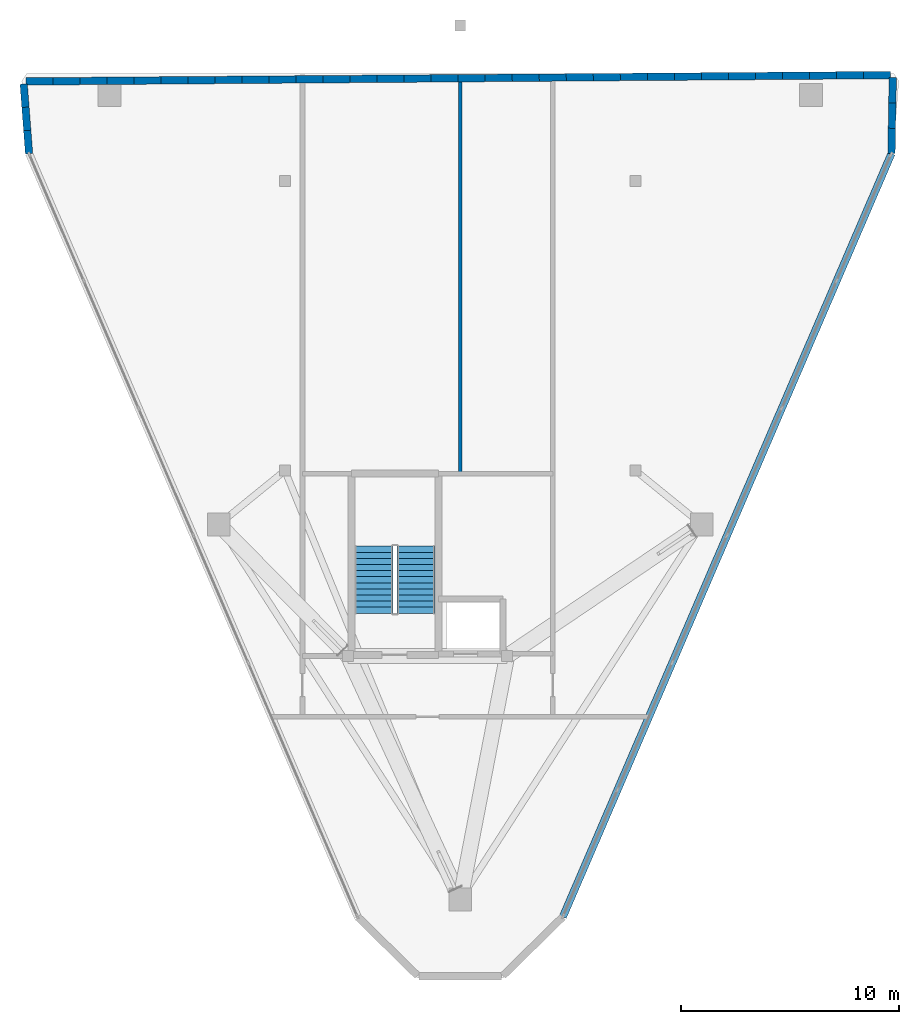
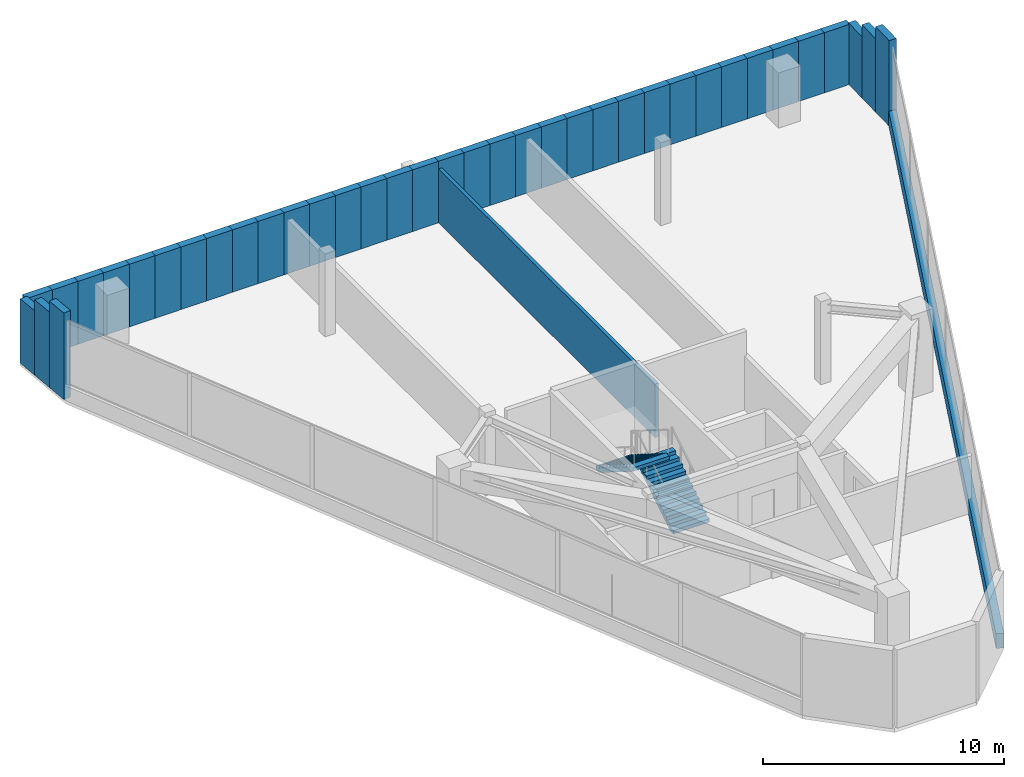
# One storey, part 6 of 7: 40 walls, 2 stair flights, 1 element without a shape of its own.
"""IFC4 building model written with IfcOpenShell, lengths in metres."""

from ifc_helpers import new_model, si_unit, direction, frame, frame_2d, origin, place, context, subcontext, project, spatial, polyline, rectangle, outline, extrude, material, layer, layer_set, type_object, element, aggregate, save


model = new_model("IFC4")

# Units and contexts
model_context = context("Model", 3, precision=1e-05, world=origin(), true_north=direction((0.0, 1.0)))
body_context = subcontext(model_context, "Body", "Model", "MODEL_VIEW")
ifc_project = project(units=[si_unit("LENGTHUNIT", "METRE"), si_unit("AREAUNIT", "SQUARE_METRE"), si_unit("VOLUMEUNIT", "CUBIC_METRE"), si_unit("PLANEANGLEUNIT", "RADIAN"), si_unit("MASSUNIT", "GRAM", prefix="KILO")], contexts=[model_context])

# Site, building, storey
site_placement = place(None, origin())
site = spatial("IfcSite", under=ifc_project, at=site_placement, CompositionType="ELEMENT")
building_placement = place(site_placement, origin())
building = spatial("IfcBuilding", under=site, at=building_placement, Name="Talyreon Biosciences Tower", CompositionType="ELEMENT")
storey_placement = place(building_placement, frame((0.0, 0.0, 321.39990234375)))
storey = spatial("IfcBuildingStorey", under=building, at=storey_placement, Name="L85", CompositionType="ELEMENT", Elevation=321.39990234375)

# Walls
ifc_material_1 = material(Name="Gypsum acoustic stud partition", Category="gypsum")
ifc_layer_1 = layer(ifc_material_1, 0.159912109375)
ifc_layer_set_1 = layer_set([ifc_layer_1], Name="Gypsum acoustic stud partition")
wall_type_1 = type_object("IfcWallType", Name="LabSeparationPartition_160", PredefinedType="PARTITIONING", material=ifc_layer_set_1)
wall_1_placement = place(storey_placement, frame((66.0, 61.2099609375, 0.0), z_axis=(0.0, 0.0, 1.0), x_axis=(0.0, 1.0, 0.0)))
element("IfcWall", 1, at=wall_1_placement, inside=storey, type_object=wall_type_1, Name="L85 Interior Wall IW-L85-CDIV-N", PredefinedType="PARTITIONING", context=body_context, shape_type="SweptSolid", body=[
    extrude(rectangle(XDim=18.29736328125, YDim=0.159912109375, at=frame_2d((9.148681640625, 0.0))), origin(), (0.0, 0.0, 1.0), 2.73486328125),
])
ifc_material_2 = material(Name="Precast concrete C45/55", Category="concrete")
ifc_layer_2 = layer(ifc_material_2, 0.340087890625)
ifc_layer_set_2 = layer_set([ifc_layer_2], Name="Precast concrete C45/55")
wall_type_2 = type_object("IfcWallType", Name="PrecastConcreteSpandrelWall_340", PredefinedType="STANDARD", material=ifc_layer_set_2)
wall_2_placement = place(storey_placement, frame((46.20263671875, 75.90185546875, 0.0), z_axis=(0.0, 0.0, 1.0), x_axis=(-0.07699350306, 0.997031594528, 0.0)))
element("IfcWall", 2, at=wall_2_placement, inside=storey, type_object=wall_type_2, Name="L85 Slanted Crown Spandrel 00.01", PredefinedType="STANDARD", context=body_context, shape_type="SweptSolid", body=[
    extrude(rectangle(XDim=1.068603515625, YDim=0.340087890625, at=frame_2d((0.5341796875, 0.0))), origin(), (0.0, 0.0, 1.0), 4.390380859375),
])
wall_3_placement = place(storey_placement, frame((46.120361328125, 76.96728515625, 0.0), z_axis=(0.0, 0.0, 1.0), x_axis=(-0.076748900864, 0.997050453195, 0.0)))
element("IfcWall", 3, at=wall_3_placement, inside=storey, type_object=wall_type_2, Name="L85 Slanted Crown Spandrel 00.02", PredefinedType="STANDARD", context=body_context, shape_type="SweptSolid", body=[
    extrude(rectangle(XDim=1.06884765625, YDim=0.340087890625, at=frame_2d((0.534423828125, 0.0))), origin(), (0.0, 0.0, 1.0), 3.830078125),
])
wall_4_placement = place(storey_placement, frame((46.038330078125, 78.032958984375, 0.0), z_axis=(0.0, 0.0, 1.0), x_axis=(-0.07699350306, 0.997031594528, 0.0)))
element("IfcWall", 4, at=wall_4_placement, inside=storey, type_object=wall_type_2, Name="L85 Slanted Crown Spandrel 00.03", PredefinedType="STANDARD", context=body_context, shape_type="SweptSolid", body=[
    extrude(rectangle(XDim=1.068603515625, YDim=0.340087890625, at=frame_2d((0.5341796875, 0.0))), origin(), (0.0, 0.0, 1.0), 3.269775390625),
])
wall_5_placement = place(storey_placement, frame((46.066162109375, 79.218017578125, 0.0), z_axis=(0.0, 0.0, 1.0), x_axis=(0.999972012601, 0.007481578358, 0.0)))
element("IfcWall", 5, at=wall_5_placement, inside=storey, type_object=wall_type_2, Name="L85 Slanted Crown Spandrel 01.01", PredefinedType="STANDARD", context=body_context, shape_type="SweptSolid", body=[
    extrude(rectangle(XDim=1.239990234375, YDim=0.340087890625, at=frame_2d((0.6201171875, 0.0))), origin(), (0.0, 0.0, 1.0), 3.201904296875),
])
wall_6_placement = place(storey_placement, frame((47.30615234375, 79.227294921875, 0.0), z_axis=(0.0, 0.0, 1.0), x_axis=(0.999973466182, 0.007284705306, 0.0)))
element("IfcWall", 6, at=wall_6_placement, inside=storey, type_object=wall_type_2, Name="L85 Slanted Crown Spandrel 01.02", PredefinedType="STANDARD", context=body_context, shape_type="SweptSolid", body=[
    extrude(rectangle(XDim=1.239990234375, YDim=0.340087890625, at=frame_2d((0.6201171875, 0.0))), origin(), (0.0, 0.0, 1.0), 3.197265625),
])
wall_7_placement = place(storey_placement, frame((48.546142578125, 79.236328125, 0.0), z_axis=(0.0, 0.0, 1.0), x_axis=(0.999972001577, 0.007483051607, 0.0)))
element("IfcWall", 7, at=wall_7_placement, inside=storey, type_object=wall_type_2, Name="L85 Slanted Crown Spandrel 01.03", PredefinedType="STANDARD", context=body_context, shape_type="SweptSolid", body=[
    extrude(rectangle(XDim=1.23974609375, YDim=0.340087890625, at=frame_2d((0.619873046875, 0.0))), origin(), (0.0, 0.0, 1.0), 3.1923828125),
])
wall_8_placement = place(storey_placement, frame((49.785888671875, 79.24560546875, 0.0), z_axis=(0.0, 0.0, 1.0), x_axis=(0.999972012601, 0.007481578358, 0.0)))
element("IfcWall", 8, at=wall_8_placement, inside=storey, type_object=wall_type_2, Name="L85 Slanted Crown Spandrel 01.04", PredefinedType="STANDARD", context=body_context, shape_type="SweptSolid", body=[
    extrude(rectangle(XDim=1.239990234375, YDim=0.340087890625, at=frame_2d((0.6201171875, 0.0))), origin(), (0.0, 0.0, 1.0), 3.1875),
])
wall_9_placement = place(storey_placement, frame((51.02587890625, 79.2548828125, 0.0), z_axis=(0.0, 0.0, 1.0), x_axis=(0.999973476627, 0.007283271385, 0.0)))
element("IfcWall", 9, at=wall_9_placement, inside=storey, type_object=wall_type_2, Name="L85 Slanted Crown Spandrel 01.05", PredefinedType="STANDARD", context=body_context, shape_type="SweptSolid", body=[
    extrude(rectangle(XDim=1.240234375, YDim=0.340087890625, at=frame_2d((0.6201171875, 0.0))), origin(), (0.0, 0.0, 1.0), 3.182861328125),
])
wall_10_placement = place(storey_placement, frame((52.26611328125, 79.263916015625, 0.0), z_axis=(0.0, 0.0, 1.0), x_axis=(0.999972012601, 0.007481578358, 0.0)))
element("IfcWall", 10, at=wall_10_placement, inside=storey, type_object=wall_type_2, Name="L85 Slanted Crown Spandrel 01.06", PredefinedType="STANDARD", context=body_context, shape_type="SweptSolid", body=[
    extrude(rectangle(XDim=1.239990234375, YDim=0.340087890625, at=frame_2d((0.6201171875, 0.0))), origin(), (0.0, 0.0, 1.0), 3.177978515625),
])
wall_11_placement = place(storey_placement, frame((53.506103515625, 79.273193359375, 0.0), z_axis=(0.0, 0.0, 1.0), x_axis=(0.999973466182, 0.007284705306, 0.0)))
element("IfcWall", 11, at=wall_11_placement, inside=storey, type_object=wall_type_2, Name="L85 Slanted Crown Spandrel 01.07", PredefinedType="STANDARD", context=body_context, shape_type="SweptSolid", body=[
    extrude(rectangle(XDim=1.239990234375, YDim=0.340087890625, at=frame_2d((0.6201171875, 0.0))), origin(), (0.0, 0.0, 1.0), 3.173095703125),
])
wall_12_placement = place(storey_placement, frame((54.74609375, 79.2822265625, 0.0), z_axis=(0.0, 0.0, 1.0), x_axis=(0.999972012601, 0.007481578358, 0.0)))
element("IfcWall", 12, at=wall_12_placement, inside=storey, type_object=wall_type_2, Name="L85 Slanted Crown Spandrel 01.08", PredefinedType="STANDARD", context=body_context, shape_type="SweptSolid", body=[
    extrude(rectangle(XDim=1.239990234375, YDim=0.340087890625, at=frame_2d((0.6201171875, 0.0))), origin(), (0.0, 0.0, 1.0), 3.168212890625),
])
wall_13_placement = place(storey_placement, frame((55.986083984375, 79.29150390625, 0.0), z_axis=(0.0, 0.0, 1.0), x_axis=(0.999973455731, 0.007286139792, 0.0)))
element("IfcWall", 13, at=wall_13_placement, inside=storey, type_object=wall_type_2, Name="L85 Slanted Crown Spandrel 01.09", PredefinedType="STANDARD", context=body_context, shape_type="SweptSolid", body=[
    extrude(rectangle(XDim=1.23974609375, YDim=0.340087890625, at=frame_2d((0.619873046875, 0.0))), origin(), (0.0, 0.0, 1.0), 3.16357421875),
])
wall_14_placement = place(storey_placement, frame((57.225830078125, 79.300537109375, 0.0), z_axis=(0.0, 0.0, 1.0), x_axis=(0.999972012601, 0.007481578358, 0.0)))
element("IfcWall", 14, at=wall_14_placement, inside=storey, type_object=wall_type_2, Name="L85 Slanted Crown Spandrel 01.10", PredefinedType="STANDARD", context=body_context, shape_type="SweptSolid", body=[
    extrude(rectangle(XDim=1.239990234375, YDim=0.340087890625, at=frame_2d((0.6201171875, 0.0))), origin(), (0.0, 0.0, 1.0), 3.15869140625),
])
wall_15_placement = place(storey_placement, frame((58.4658203125, 79.309814453125, 0.0), z_axis=(0.0, 0.0, 1.0), x_axis=(0.999972012601, 0.007481578358, 0.0)))
element("IfcWall", 15, at=wall_15_placement, inside=storey, type_object=wall_type_2, Name="L85 Slanted Crown Spandrel 01.11", PredefinedType="STANDARD", context=body_context, shape_type="SweptSolid", body=[
    extrude(rectangle(XDim=1.239990234375, YDim=0.340087890625, at=frame_2d((0.6201171875, 0.0))), origin(), (0.0, 0.0, 1.0), 3.15380859375),
])
wall_16_placement = place(storey_placement, frame((59.705810546875, 79.319091796875, 0.0), z_axis=(0.0, 0.0, 1.0), x_axis=(0.999973466182, 0.007284705306, 0.0)))
element("IfcWall", 16, at=wall_16_placement, inside=storey, type_object=wall_type_2, Name="L85 Slanted Crown Spandrel 01.12", PredefinedType="STANDARD", context=body_context, shape_type="SweptSolid", body=[
    extrude(rectangle(XDim=1.239990234375, YDim=0.340087890625, at=frame_2d((0.6201171875, 0.0))), origin(), (0.0, 0.0, 1.0), 3.14892578125),
])
wall_17_placement = place(storey_placement, frame((60.94580078125, 79.328125, 0.0), z_axis=(0.0, 0.0, 1.0), x_axis=(0.999972012601, 0.007481578358, 0.0)))
element("IfcWall", 17, at=wall_17_placement, inside=storey, type_object=wall_type_2, Name="L85 Slanted Crown Spandrel 01.13", PredefinedType="STANDARD", context=body_context, shape_type="SweptSolid", body=[
    extrude(rectangle(XDim=1.239990234375, YDim=0.340087890625, at=frame_2d((0.6201171875, 0.0))), origin(), (0.0, 0.0, 1.0), 3.14404296875),
])
wall_18_placement = place(storey_placement, frame((62.185791015625, 79.33740234375, 0.0), z_axis=(0.0, 0.0, 1.0), x_axis=(0.999973466182, 0.007284705306, 0.0)))
element("IfcWall", 18, at=wall_18_placement, inside=storey, type_object=wall_type_2, Name="L85 Slanted Crown Spandrel 01.14", PredefinedType="STANDARD", context=body_context, shape_type="SweptSolid", body=[
    extrude(rectangle(XDim=1.239990234375, YDim=0.340087890625, at=frame_2d((0.6201171875, 0.0))), origin(), (0.0, 0.0, 1.0), 3.139404296875),
])
wall_19_placement = place(storey_placement, frame((63.42578125, 79.346435546875, 0.0), z_axis=(0.0, 0.0, 1.0), x_axis=(0.999972012601, 0.007481578358, 0.0)))
element("IfcWall", 19, at=wall_19_placement, inside=storey, type_object=wall_type_2, Name="L85 Slanted Crown Spandrel 01.15", PredefinedType="STANDARD", context=body_context, shape_type="SweptSolid", body=[
    extrude(rectangle(XDim=1.239990234375, YDim=0.340087890625, at=frame_2d((0.6201171875, 0.0))), origin(), (0.0, 0.0, 1.0), 3.134521484375),
])
wall_20_placement = place(storey_placement, frame((64.665771484375, 79.355712890625, 0.0), z_axis=(0.0, 0.0, 1.0), x_axis=(0.999973466182, 0.007284705306, 0.0)))
element("IfcWall", 20, at=wall_20_placement, inside=storey, type_object=wall_type_2, Name="L85 Slanted Crown Spandrel 01.16", PredefinedType="STANDARD", context=body_context, shape_type="SweptSolid", body=[
    extrude(rectangle(XDim=1.239990234375, YDim=0.340087890625, at=frame_2d((0.6201171875, 0.0))), origin(), (0.0, 0.0, 1.0), 3.1298828125),
])
wall_21_placement = place(storey_placement, frame((65.90576171875, 79.36474609375, 0.0), z_axis=(0.0, 0.0, 1.0), x_axis=(0.999972012601, 0.007481578358, 0.0)))
element("IfcWall", 21, at=wall_21_placement, inside=storey, type_object=wall_type_2, Name="L85 Slanted Crown Spandrel 01.17", PredefinedType="STANDARD", context=body_context, shape_type="SweptSolid", body=[
    extrude(rectangle(XDim=1.239990234375, YDim=0.340087890625, at=frame_2d((0.6201171875, 0.0))), origin(), (0.0, 0.0, 1.0), 3.125),
])
wall_22_placement = place(storey_placement, frame((67.145751953125, 79.3740234375, 0.0), z_axis=(0.0, 0.0, 1.0), x_axis=(0.999973466182, 0.007284705306, 0.0)))
element("IfcWall", 22, at=wall_22_placement, inside=storey, type_object=wall_type_2, Name="L85 Slanted Crown Spandrel 01.18", PredefinedType="STANDARD", context=body_context, shape_type="SweptSolid", body=[
    extrude(rectangle(XDim=1.239990234375, YDim=0.340087890625, at=frame_2d((0.6201171875, 0.0))), origin(), (0.0, 0.0, 1.0), 3.1201171875),
])
wall_23_placement = place(storey_placement, frame((68.3857421875, 79.383056640625, 0.0), z_axis=(0.0, 0.0, 1.0), x_axis=(0.999972012601, 0.007481578358, 0.0)))
element("IfcWall", 23, at=wall_23_placement, inside=storey, type_object=wall_type_2, Name="L85 Slanted Crown Spandrel 01.19", PredefinedType="STANDARD", context=body_context, shape_type="SweptSolid", body=[
    extrude(rectangle(XDim=1.239990234375, YDim=0.340087890625, at=frame_2d((0.6201171875, 0.0))), origin(), (0.0, 0.0, 1.0), 3.115234375),
])
wall_24_placement = place(storey_placement, frame((69.625732421875, 79.392333984375, 0.0), z_axis=(0.0, 0.0, 1.0), x_axis=(0.999972012601, 0.007481578358, 0.0)))
element("IfcWall", 24, at=wall_24_placement, inside=storey, type_object=wall_type_2, Name="L85 Slanted Crown Spandrel 01.20", PredefinedType="STANDARD", context=body_context, shape_type="SweptSolid", body=[
    extrude(rectangle(XDim=1.239990234375, YDim=0.340087890625, at=frame_2d((0.6201171875, 0.0))), origin(), (0.0, 0.0, 1.0), 3.1103515625),
])
wall_25_placement = place(storey_placement, frame((70.86572265625, 79.401611328125, 0.0), z_axis=(0.0, 0.0, 1.0), x_axis=(0.999973466182, 0.007284705306, 0.0)))
element("IfcWall", 25, at=wall_25_placement, inside=storey, type_object=wall_type_2, Name="L85 Slanted Crown Spandrel 01.21", PredefinedType="STANDARD", context=body_context, shape_type="SweptSolid", body=[
    extrude(rectangle(XDim=1.239990234375, YDim=0.340087890625, at=frame_2d((0.6201171875, 0.0))), origin(), (0.0, 0.0, 1.0), 3.105712890625),
])
wall_26_placement = place(storey_placement, frame((72.105712890625, 79.41064453125, 0.0), z_axis=(0.0, 0.0, 1.0), x_axis=(0.999972012601, 0.007481578358, 0.0)))
element("IfcWall", 26, at=wall_26_placement, inside=storey, type_object=wall_type_2, Name="L85 Slanted Crown Spandrel 01.22", PredefinedType="STANDARD", context=body_context, shape_type="SweptSolid", body=[
    extrude(rectangle(XDim=1.239990234375, YDim=0.340087890625, at=frame_2d((0.6201171875, 0.0))), origin(), (0.0, 0.0, 1.0), 3.100830078125),
])
wall_27_placement = place(storey_placement, frame((73.345703125, 79.419921875, 0.0), z_axis=(0.0, 0.0, 1.0), x_axis=(0.999973466182, 0.007284705306, 0.0)))
element("IfcWall", 27, at=wall_27_placement, inside=storey, type_object=wall_type_2, Name="L85 Slanted Crown Spandrel 01.23", PredefinedType="STANDARD", context=body_context, shape_type="SweptSolid", body=[
    extrude(rectangle(XDim=1.239990234375, YDim=0.340087890625, at=frame_2d((0.6201171875, 0.0))), origin(), (0.0, 0.0, 1.0), 3.095947265625),
])
wall_28_placement = place(storey_placement, frame((74.585693359375, 79.428955078125, 0.0), z_axis=(0.0, 0.0, 1.0), x_axis=(0.999972012601, 0.007481578358, 0.0)))
element("IfcWall", 28, at=wall_28_placement, inside=storey, type_object=wall_type_2, Name="L85 Slanted Crown Spandrel 01.24", PredefinedType="STANDARD", context=body_context, shape_type="SweptSolid", body=[
    extrude(rectangle(XDim=1.239990234375, YDim=0.340087890625, at=frame_2d((0.6201171875, 0.0))), origin(), (0.0, 0.0, 1.0), 3.091064453125),
])
wall_29_placement = place(storey_placement, frame((75.82568359375, 79.438232421875, 0.0), z_axis=(0.0, 0.0, 1.0), x_axis=(0.999973466182, 0.007284705306, 0.0)))
element("IfcWall", 29, at=wall_29_placement, inside=storey, type_object=wall_type_2, Name="L85 Slanted Crown Spandrel 01.25", PredefinedType="STANDARD", context=body_context, shape_type="SweptSolid", body=[
    extrude(rectangle(XDim=1.239990234375, YDim=0.340087890625, at=frame_2d((0.6201171875, 0.0))), origin(), (0.0, 0.0, 1.0), 3.08642578125),
])
wall_30_placement = place(storey_placement, frame((77.065673828125, 79.447265625, 0.0), z_axis=(0.0, 0.0, 1.0), x_axis=(0.999972012601, 0.007481578358, 0.0)))
element("IfcWall", 30, at=wall_30_placement, inside=storey, type_object=wall_type_2, Name="L85 Slanted Crown Spandrel 01.26", PredefinedType="STANDARD", context=body_context, shape_type="SweptSolid", body=[
    extrude(rectangle(XDim=1.239990234375, YDim=0.340087890625, at=frame_2d((0.6201171875, 0.0))), origin(), (0.0, 0.0, 1.0), 3.08154296875),
])
wall_31_placement = place(storey_placement, frame((78.3056640625, 79.45654296875, 0.0), z_axis=(0.0, 0.0, 1.0), x_axis=(0.999972012601, 0.007481578358, 0.0)))
element("IfcWall", 31, at=wall_31_placement, inside=storey, type_object=wall_type_2, Name="L85 Slanted Crown Spandrel 01.27", PredefinedType="STANDARD", context=body_context, shape_type="SweptSolid", body=[
    extrude(rectangle(XDim=1.239990234375, YDim=0.340087890625, at=frame_2d((0.6201171875, 0.0))), origin(), (0.0, 0.0, 1.0), 3.07666015625),
])
wall_32_placement = place(storey_placement, frame((79.545654296875, 79.4658203125, 0.0), z_axis=(0.0, 0.0, 1.0), x_axis=(0.999973466182, 0.007284705306, 0.0)))
element("IfcWall", 32, at=wall_32_placement, inside=storey, type_object=wall_type_2, Name="L85 Slanted Crown Spandrel 01.28", PredefinedType="STANDARD", context=body_context, shape_type="SweptSolid", body=[
    extrude(rectangle(XDim=1.239990234375, YDim=0.340087890625, at=frame_2d((0.6201171875, 0.0))), origin(), (0.0, 0.0, 1.0), 3.07177734375),
])
wall_33_placement = place(storey_placement, frame((80.78564453125, 79.474853515625, 0.0), z_axis=(0.0, 0.0, 1.0), x_axis=(0.999973466182, 0.007284705306, 0.0)))
element("IfcWall", 33, at=wall_33_placement, inside=storey, type_object=wall_type_2, Name="L85 Slanted Crown Spandrel 01.29", PredefinedType="STANDARD", context=body_context, shape_type="SweptSolid", body=[
    extrude(rectangle(XDim=1.239990234375, YDim=0.340087890625, at=frame_2d((0.6201171875, 0.0))), origin(), (0.0, 0.0, 1.0), 3.067138671875),
])
wall_34_placement = place(storey_placement, frame((82.025634765625, 79.48388671875, 0.0), z_axis=(0.0, 0.0, 1.0), x_axis=(0.999972001577, 0.007483051607, 0.0)))
element("IfcWall", 34, at=wall_34_placement, inside=storey, type_object=wall_type_2, Name="L85 Slanted Crown Spandrel 01.30", PredefinedType="STANDARD", context=body_context, shape_type="SweptSolid", body=[
    extrude(rectangle(XDim=1.23974609375, YDim=0.340087890625, at=frame_2d((0.619873046875, 0.0))), origin(), (0.0, 0.0, 1.0), 3.062255859375),
])
wall_35_placement = place(storey_placement, frame((83.265380859375, 79.4931640625, 0.0), z_axis=(0.0, 0.0, 1.0), x_axis=(0.999973476627, 0.007283271385, 0.0)))
element("IfcWall", 35, at=wall_35_placement, inside=storey, type_object=wall_type_2, Name="L85 Slanted Crown Spandrel 01.31", PredefinedType="STANDARD", context=body_context, shape_type="SweptSolid", body=[
    extrude(rectangle(XDim=1.240234375, YDim=0.340087890625, at=frame_2d((0.6201171875, 0.0))), origin(), (0.0, 0.0, 1.0), 3.0576171875),
])
wall_36_placement = place(storey_placement, frame((84.505615234375, 79.502197265625, 0.0), z_axis=(0.0, 0.0, 1.0), x_axis=(0.999972012601, 0.007481578358, 0.0)))
element("IfcWall", 36, at=wall_36_placement, inside=storey, type_object=wall_type_2, Name="L85 Slanted Crown Spandrel 01.32", PredefinedType="STANDARD", context=body_context, shape_type="SweptSolid", body=[
    extrude(rectangle(XDim=1.239990234375, YDim=0.340087890625, at=frame_2d((0.6201171875, 0.0))), origin(), (0.0, 0.0, 1.0), 3.052490234375),
])
wall_37_placement = place(storey_placement, frame((85.85693359375, 79.39892578125, 0.0), z_axis=(0.0, 0.0, 1.0), x_axis=(-0.016960910665, -0.999856153409, 0.0)))
element("IfcWall", 37, at=wall_37_placement, inside=storey, type_object=wall_type_2, Name="L85 Slanted Crown Spandrel 02.01", PredefinedType="STANDARD", context=body_context, shape_type="SweptSolid", body=[
    extrude(rectangle(XDim=1.166015625, YDim=0.340087890625, at=frame_2d((0.5830078125, 0.0))), origin(), (0.0, 0.0, 1.0), 3.11181640625),
])
wall_38_placement = place(storey_placement, frame((85.837158203125, 78.233154296875, 0.0), z_axis=(0.0, 0.0, 1.0), x_axis=(-0.01696446241, -0.999856093153, 0.0)))
element("IfcWall", 38, at=wall_38_placement, inside=storey, type_object=wall_type_2, Name="L85 Slanted Crown Spandrel 02.02", PredefinedType="STANDARD", context=body_context, shape_type="SweptSolid", body=[
    extrude(rectangle(XDim=1.165771484375, YDim=0.340087890625, at=frame_2d((0.5830078125, 0.0))), origin(), (0.0, 0.0, 1.0), 3.724609375),
])
wall_39_placement = place(storey_placement, frame((85.8173828125, 77.067626953125, 0.0), z_axis=(0.0, 0.0, 1.0), x_axis=(-0.017170243267, -0.999852580507, 0.0)))
element("IfcWall", 39, at=wall_39_placement, inside=storey, type_object=wall_type_2, Name="L85 Slanted Crown Spandrel 02.03", PredefinedType="STANDARD", context=body_context, shape_type="SweptSolid", body=[
    extrude(rectangle(XDim=1.166015625, YDim=0.340087890625, at=frame_2d((0.5830078125, 0.0))), origin(), (0.0, 0.0, 1.0), 4.337646484375),
])
wall_40_placement = place(storey_placement, frame((85.79736328125, 75.90185546875, 0.0), z_axis=(0.0, 0.0, 1.0), x_axis=(-0.395452427469, -0.918486460221, 0.0)))
element("IfcWall", 40, at=wall_40_placement, inside=storey, type_object=wall_type_2, Name="L85 Stepped Crown Sill Wall 03", PredefinedType="STANDARD", context=body_context, shape_type="SweptSolid", body=[
    extrude(rectangle(XDim=38.1552734375, YDim=0.340087890625, at=frame_2d((19.07763671875, 0.0))), origin(), (0.0, 0.0, 1.0), 0.75),
])

# Stair, stair flights
ifc_material_3 = material(Name="Concrete C40/50", Category="concrete")
stair_type = type_object("IfcStairType", Name="DoglegEscapeStair_4200", PredefinedType="HALF_TURN_STAIR", material=ifc_material_3)
stair_placement = place(storey_placement, origin())
stair = element("IfcStair", 41, at=stair_placement, inside=storey, type_object=stair_type, Name="L85 Crown Internal Escape Stair 4", PredefinedType="HALF_TURN_STAIR")
stair_flight_type = type_object("IfcStairFlightType", Name="PrecastStairFlight_4200", PredefinedType="STRAIGHT", material=ifc_material_3)
stair_flight_1_placement = place(storey_placement, frame((63.969970703125, 54.800048828125, 0.0), z_axis=(0.0, 0.0, 1.0), x_axis=(0.0, 1.0, 0.0)))
stair_flight_1 = element("IfcStairFlight", 42, at=stair_flight_1_placement, type_object=stair_flight_type, Name="ST-4 flight 1", NumberOfRisers=12, NumberOfTreads=11, PredefinedType="STRAIGHT", RiserHeight=0.175, TreadLength=0.28, context=body_context, shape_type="SweptSolid", body=[
    extrude(outline(polyline([(0.0, 0.0), (0.0, 0.175048828125), (0.280029296875, 0.175048828125), (0.280029296875, 0.35009765625), (0.56005859375, 0.35009765625), (0.56005859375, 0.52490234375), (0.840087890625, 0.52490234375), (0.840087890625, 0.699951171875), (1.1201171875, 0.699951171875), (1.1201171875, 0.875), (1.39990234375, 0.875), (1.39990234375, 1.050048828125), (1.679931640625, 1.050048828125), (1.679931640625, 1.22509765625), (1.9599609375, 1.22509765625), (1.9599609375, 1.39990234375), (2.239990234375, 1.39990234375), (2.239990234375, 1.574951171875), (2.52001953125, 1.574951171875), (2.52001953125, 1.75), (2.800048828125, 1.75), (2.800048828125, 1.925048828125), (3.080078125, 1.925048828125), (3.080078125, 2.10009765625), (3.080078125, 1.748291015625), (0.28271484375, 0.0), (0.0, 0.0)])), frame((0.0, 0.8701171875, 0.0), z_axis=(0.0, -1.0, 0.0), x_axis=(1.0, 0.0, 0.0)), (0.0, 0.0, 1.0), 1.739990234375),
])
stair_flight_2_placement = place(storey_placement, frame((62.030029296875, 57.8798828125, 2.10009765625), z_axis=(0.0, 0.0, 1.0), x_axis=(0.0, -1.0, 0.0)))
stair_flight_2 = element("IfcStairFlight", 43, at=stair_flight_2_placement, type_object=stair_flight_type, Name="ST-4 flight 2", NumberOfRisers=12, NumberOfTreads=11, PredefinedType="STRAIGHT", RiserHeight=0.175, TreadLength=0.28, context=body_context, shape_type="SweptSolid", body=[
    extrude(outline(polyline([(0.0, 0.0), (0.0, 0.175048828125), (0.280029296875, 0.175048828125), (0.280029296875, 0.35009765625), (0.56005859375, 0.35009765625), (0.56005859375, 0.52490234375), (0.840087890625, 0.52490234375), (0.840087890625, 0.699951171875), (1.1201171875, 0.699951171875), (1.1201171875, 0.875), (1.39990234375, 0.875), (1.39990234375, 1.050048828125), (1.679931640625, 1.050048828125), (1.679931640625, 1.22509765625), (1.9599609375, 1.22509765625), (1.9599609375, 1.39990234375), (2.239990234375, 1.39990234375), (2.239990234375, 1.574951171875), (2.52001953125, 1.574951171875), (2.52001953125, 1.75), (2.800048828125, 1.75), (2.800048828125, 1.925048828125), (3.080078125, 1.925048828125), (3.080078125, 2.10009765625), (3.080078125, 1.748291015625), (0.28271484375, 0.0), (0.0, 0.0)])), frame((0.0, 0.8701171875, 0.0), z_axis=(0.0, -1.0, 0.0), x_axis=(1.0, 0.0, 0.0)), (0.0, 0.0, 1.0), 1.739990234375),
])
aggregate(stair, [stair_flight_1, stair_flight_2])

save(model, "model.ifc")
